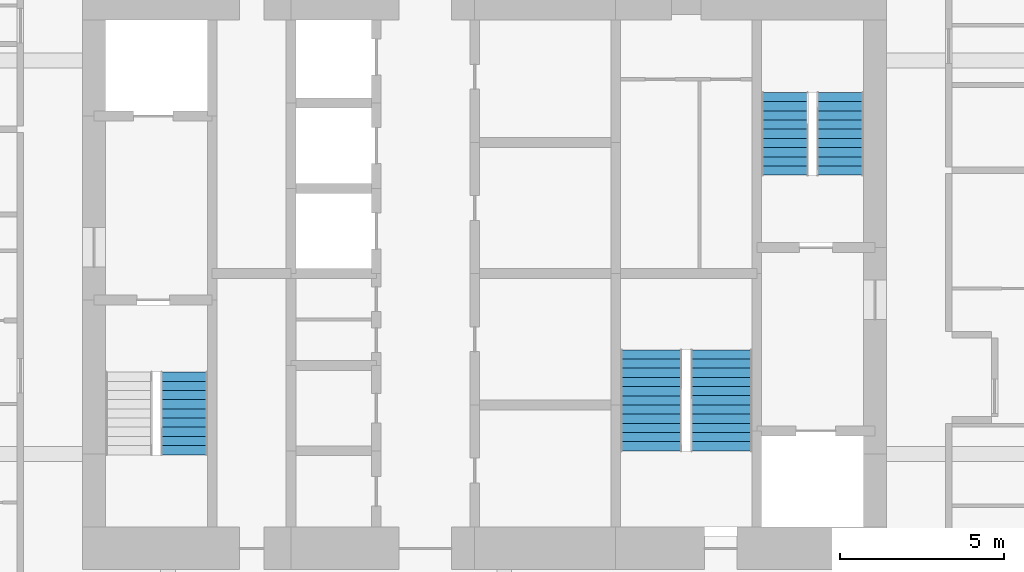
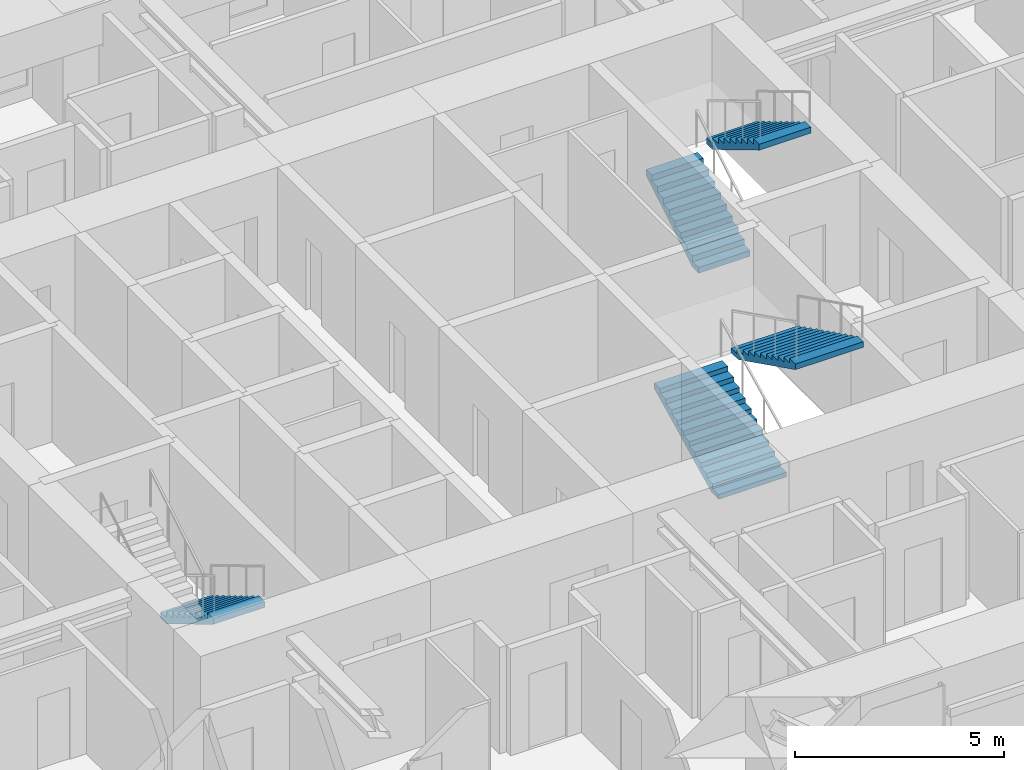
# One storey, part 22 of 23: 5 stair flights, 3 elements without a shape of their own.
"""IFC4 building model written with IfcOpenShell, lengths in metres."""

import ifcopenshell
import ifcopenshell.guid

model = None  # the IFC model being written
_history = None  # IfcOwnerHistory: only IFC2X3 demands one
_inside = {}  # id of a spatial element -> (the spatial element, [elements in it])
_under = {}  # id of a project, library or spatial element -> (it, [spatial elements below it])
_declared = {}  # id of a project -> (the project, [libraries it declares])
_typed = {}  # id of a type object -> (the type object, [elements of that type])
_made_of = {}  # id of a material, layer set ... -> (it, [elements and type objects made of it])


def new_model(schema):
    """Start an empty IFC model of exactly this schema.

    Asked for "IFC4X3", IfcOpenShell would pick the latest addendum, in which some entities
    have other attributes; the version numbers below select the first issue.
    IFC2X3 requires an IfcOwnerHistory on every rooted entity: one is made here for all.
    """
    global model, _history
    if schema == "IFC4X3":
        model = ifcopenshell.file(schema_version=(4, 3, 0, 0))
    else:
        model = ifcopenshell.file(schema=schema)
    _inside.clear()
    _under.clear()
    _declared.clear()
    _typed.clear()
    _made_of.clear()
    _history = None
    if model.schema == "IFC2X3":
        org = make("IfcOrganization", Name="unknown")
        user = make(
            "IfcPersonAndOrganization",
            ThePerson=make("IfcPerson", FamilyName="unknown"),
            TheOrganization=org,
        )
        app = make(
            "IfcApplication",
            ApplicationDeveloper=org,
            Version="unknown",
            ApplicationFullName="unknown",
            ApplicationIdentifier="unknown",
        )
        _history = make(
            "IfcOwnerHistory",
            OwningUser=user,
            OwningApplication=app,
            ChangeAction="ADDED",
            CreationDate=0,
        )
    return model


def make(cls, **values):
    """One entity of the class cls with the attributes given. An attribute that is None is left unset."""
    return model.create_entity(
        cls, **{name: value for name, value in values.items() if value is not None}
    )


def rooted(cls, **values):
    """An entity with a GlobalId (a new one), such as an element, a storey or a relation."""
    return make(cls, GlobalId=ifcopenshell.guid.new(), OwnerHistory=_history, **values)


def si_unit(unit_type, name, prefix=None):
    """IfcSIUnit, for example si_unit("LENGTHUNIT", "METRE", prefix="MILLI")."""
    return make("IfcSIUnit", UnitType=unit_type, Prefix=prefix, Name=name)


def assignment(units):
    """IfcUnitAssignment: the units of a project."""
    return None if units is None else make("IfcUnitAssignment", Units=units)


def point(xyz):
    """IfcCartesianPoint."""
    return None if xyz is None else make("IfcCartesianPoint", Coordinates=xyz)


def direction(xyz):
    """IfcDirection."""
    return None if xyz is None else make("IfcDirection", DirectionRatios=xyz)


def frame(location, z_axis=None, x_axis=None):
    """IfcAxis2Placement3D, a coordinate frame: its origin and axes. An axis left out is left unset."""
    return make(
        "IfcAxis2Placement3D",
        Location=point(location),
        Axis=direction(z_axis),
        RefDirection=direction(x_axis),
    )


def origin():
    """The frame at (0, 0, 0) with its axes left unset."""
    return frame((0.0, 0.0, 0.0))


def place(relative_to, where):
    """IfcLocalPlacement: puts the frame where relative to a parent placement (None: the world)."""
    return make(
        "IfcLocalPlacement", PlacementRelTo=relative_to, RelativePlacement=where
    )


def context(
    kind, dimensions, precision=None, world=None, true_north=None, identifier=None
):
    """IfcGeometricRepresentationContext, for example the 3D "Model" context."""
    return make(
        "IfcGeometricRepresentationContext",
        ContextIdentifier=identifier,
        ContextType=kind,
        CoordinateSpaceDimension=dimensions,
        Precision=precision,
        WorldCoordinateSystem=world,
        TrueNorth=true_north,
    )


def subcontext(parent, identifier, kind, view, scale=None):
    """IfcGeometricRepresentationSubContext, for example "Body" below "Model"."""
    return make(
        "IfcGeometricRepresentationSubContext",
        ContextIdentifier=identifier,
        ContextType=kind,
        ParentContext=parent,
        TargetScale=scale,
        TargetView=view,
    )


def project(units=None, contexts=None):
    """IfcProject with its units and contexts."""
    return rooted(
        "IfcProject",
        Name="project",
        RepresentationContexts=contexts,
        UnitsInContext=assignment(units),
    )


def spatial(cls, under=None, at=None, **own):
    """A site, building, storey or space (cls), placed at a placement, below another one or the project."""
    s = rooted(cls, ObjectPlacement=at, **own)
    if under is not None:
        _under.setdefault(under.id(), (under, []))[1].append(s)
    return s


def polyline(points):
    """IfcPolyline through the points."""
    return make("IfcPolyline", Points=[point(p) for p in points])


def outline(outer, holes=None, kind="AREA"):
    """IfcArbitraryClosedProfileDef: a profile drawn as a closed curve; with holes, ...WithVoids."""
    if holes is None:
        return make("IfcArbitraryClosedProfileDef", ProfileType=kind, OuterCurve=outer)
    return make(
        "IfcArbitraryProfileDefWithVoids",
        ProfileType=kind,
        OuterCurve=outer,
        InnerCurves=holes,
    )


def extrude(swept, where, along, depth):
    """IfcExtrudedAreaSolid: the profile swept, set in the frame where, extruded along a direction by depth."""
    return make(
        "IfcExtrudedAreaSolid",
        SweptArea=swept,
        Position=where,
        ExtrudedDirection=direction(along),
        Depth=depth,
    )


def shape(context_of_items, identifier, shape_type, items):
    """IfcShapeRepresentation: the items that make up one representation, for example the "Body"."""
    return make(
        "IfcShapeRepresentation",
        ContextOfItems=context_of_items,
        RepresentationIdentifier=identifier,
        RepresentationType=shape_type,
        Items=items,
    )


def material(Name=None, Category=None):
    """IfcMaterial."""
    return make("IfcMaterial", Name=Name, Category=Category)


def made_of(thing, what):
    """Note that an element or type object is made of a material, layer set ...; save() writes the relation."""
    if what is not None:
        _made_of.setdefault(what.id(), (what, []))[1].append(thing)
    return thing


def type_object(cls, material=None, **own):
    """A type object (cls), such as IfcWallType, which elements share."""
    return made_of(rooted(cls, **own), material)


def element(
    cls,
    number,
    at=None,
    inside=None,
    cuts=None,
    type_object=None,
    material=None,
    context=None,
    identifier="Body",
    shape_type=None,
    held_by="IfcProductDefinitionShape",
    body=None,
    shapes=None,
    **own,
):
    """One element of the class cls, such as IfcWall. Its Tag is "e" and its number.

    at: its placement. inside: the storey or other place that contains it. cuts: it is an
    opening in that element (IfcRelVoidsElement). A single representation is given by context,
    identifier, shape_type and body (its items); several are given by shapes. held_by: the class
    of the entity that holds the representations. save() writes the other relations.
    """
    e = rooted(cls, Tag="e%d" % number, ObjectPlacement=at, **own)
    if body is not None:
        shapes = [shape(context, identifier, shape_type, body)]
    if shapes is not None:
        e.Representation = make(held_by, Representations=shapes)
    if inside is not None:
        _inside.setdefault(inside.id(), (inside, []))[1].append(e)
    if cuts is not None:
        rooted(
            "IfcRelVoidsElement", RelatingBuildingElement=cuts, RelatedOpeningElement=e
        )
    if type_object is not None:
        _typed.setdefault(type_object.id(), (type_object, []))[1].append(e)
    return made_of(e, material)


def aggregate(whole, parts):
    """IfcRelAggregates: a whole, such as a stair, and the parts it consists of."""
    return rooted("IfcRelAggregates", RelatingObject=whole, RelatedObjects=parts)


def save(model, path):
    """Write the relations noted so far, then the file.

    IfcRelAggregates (storeys below a building ...), IfcRelContainedInSpatialStructure (elements
    in a storey), IfcRelDefinesByType, IfcRelAssociatesMaterial and IfcRelDeclares: one each for
    every whole, place, type object, material and project.
    """
    for whole, parts in _under.values():
        aggregate(whole, parts)
    for where, things in _inside.values():
        rooted(
            "IfcRelContainedInSpatialStructure",
            RelatedElements=things,
            RelatingStructure=where,
        )
    for kind, things in _typed.values():
        rooted("IfcRelDefinesByType", RelatedObjects=things, RelatingType=kind)
    for what, things in _made_of.values():
        rooted("IfcRelAssociatesMaterial", RelatedObjects=things, RelatingMaterial=what)
    for by, libraries in _declared.values():
        rooted("IfcRelDeclares", RelatingContext=by, RelatedDefinitions=libraries)
    model.write(path)


model = new_model("IFC4")

# Units and contexts
model_context = context("Model", 3, precision=1e-05, world=origin(), true_north=direction((0.0, 1.0)))
body_context = subcontext(model_context, "Body", "Model", "MODEL_VIEW")
ifc_project = project(units=[si_unit("LENGTHUNIT", "METRE"), si_unit("AREAUNIT", "SQUARE_METRE"), si_unit("VOLUMEUNIT", "CUBIC_METRE"), si_unit("PLANEANGLEUNIT", "RADIAN"), si_unit("MASSUNIT", "GRAM", prefix="KILO")], contexts=[model_context])

# Site, building, storey
site_placement = place(None, origin())
site = spatial("IfcSite", under=ifc_project, at=site_placement, CompositionType="ELEMENT")
building_placement = place(site_placement, origin())
building = spatial("IfcBuilding", under=site, at=building_placement, Name="Jalousie Tower", CompositionType="ELEMENT")
storey_placement = place(building_placement, frame((0.0, 0.0, 167.75)))
storey = spatial("IfcBuildingStorey", under=building, at=storey_placement, Name="L45", CompositionType="ELEMENT", Elevation=167.75)

# Stair, stair flight
ifc_material_1 = material(Name="Concrete f'c 40 MPa", Category="concrete")
stair_type = type_object("IfcStairType", Name="EXIT STAIR", PredefinedType="HALF_TURN_STAIR", material=ifc_material_1)
stair_1_placement = place(storey_placement, origin())
stair_1 = element("IfcStair", 1, at=stair_1_placement, inside=storey, type_object=stair_type, Name="Exit stair A L45", PredefinedType="HALF_TURN_STAIR")
ifc_material_2 = material(Name="Concrete f'c 40 MPa", Category="concrete")
stair_flight_type = type_object("IfcStairFlightType", Name="STAIR FLIGHT", PredefinedType="STRAIGHT", material=ifc_material_2)
stair_flight_1_placement = place(storey_placement, frame((22.737548828125, 15.49755859375, 0.0), z_axis=(0.0, 0.0, 1.0), x_axis=(0.0, -1.0, 0.0)))
stair_flight_1 = element("IfcStairFlight", 2, at=stair_flight_1_placement, type_object=stair_flight_type, Name="ST-A flight 1", NumberOfRisers=10, NumberOfTreads=9, PredefinedType="STRAIGHT", RiserHeight=0.1675, TreadLength=0.28, context=body_context, shape_type="SweptSolid", body=[
    extrude(outline(polyline([(0.0, 0.0), (0.0, 0.16748046875), (0.280029296875, 0.16748046875), (0.280029296875, 0.3349609375), (0.56005859375, 0.3349609375), (0.56005859375, 0.50244140625), (0.840087890625, 0.50244140625), (0.840087890625, 0.669921875), (1.1201171875, 0.669921875), (1.1201171875, 0.83740234375), (1.39990234375, 0.83740234375), (1.39990234375, 1.0048828125), (1.679931640625, 1.0048828125), (1.679931640625, 1.172607421875), (1.9599609375, 1.172607421875), (1.9599609375, 1.340087890625), (2.239990234375, 1.340087890625), (2.239990234375, 1.507568359375), (2.52001953125, 1.507568359375), (2.52001953125, 1.675048828125), (2.52001953125, 1.332763671875), (0.2919921875, 0.0), (0.0, 0.0)])), frame((0.0, 0.71240234375, 0.0), z_axis=(0.0, -1.0, 0.0), x_axis=(1.0, 0.0, 0.0)), (0.0, 0.0, 1.0), 1.425048828125),
])
aggregate(stair_1, [stair_flight_1])

# Stair, stair flights
stair_2_placement = place(storey_placement, origin())
stair_2 = element("IfcStair", 3, at=stair_2_placement, inside=storey, type_object=stair_type, Name="Exit stair B L45", PredefinedType="HALF_TURN_STAIR")
stair_flight_2_placement = place(storey_placement, frame((41.0625, 21.50244140625, 0.0), z_axis=(0.0, 0.0, 1.0), x_axis=(0.0, 1.0, 0.0)))
stair_flight_2 = element("IfcStairFlight", 4, at=stair_flight_2_placement, type_object=stair_flight_type, Name="ST-B flight 1", NumberOfRisers=10, NumberOfTreads=9, PredefinedType="STRAIGHT", RiserHeight=0.1675, TreadLength=0.28, context=body_context, shape_type="SweptSolid", body=[
    extrude(outline(polyline([(0.0, 0.0), (0.0, 0.16748046875), (0.280029296875, 0.16748046875), (0.280029296875, 0.3349609375), (0.56005859375, 0.3349609375), (0.56005859375, 0.50244140625), (0.840087890625, 0.50244140625), (0.840087890625, 0.669921875), (1.1201171875, 0.669921875), (1.1201171875, 0.83740234375), (1.39990234375, 0.83740234375), (1.39990234375, 1.0048828125), (1.679931640625, 1.0048828125), (1.679931640625, 1.172607421875), (1.9599609375, 1.172607421875), (1.9599609375, 1.340087890625), (2.239990234375, 1.340087890625), (2.239990234375, 1.507568359375), (2.52001953125, 1.507568359375), (2.52001953125, 1.675048828125), (2.52001953125, 1.332763671875), (0.2919921875, 0.0), (0.0, 0.0)])), frame((0.0, 0.71240234375, 0.0), z_axis=(0.0, -1.0, 0.0), x_axis=(1.0, 0.0, 0.0)), (0.0, 0.0, 1.0), 1.425048828125),
])
stair_flight_3_placement = place(storey_placement, frame((42.737548828125, 24.0224609375, 1.675048828125), z_axis=(0.0, 0.0, 1.0), x_axis=(0.0, -1.0, 0.0)))
stair_flight_3 = element("IfcStairFlight", 5, at=stair_flight_3_placement, type_object=stair_flight_type, Name="ST-B flight 2", NumberOfRisers=10, NumberOfTreads=9, PredefinedType="STRAIGHT", RiserHeight=0.1675, TreadLength=0.28, context=body_context, shape_type="SweptSolid", body=[
    extrude(outline(polyline([(0.0, 0.0), (0.0, 0.16748046875), (0.280029296875, 0.16748046875), (0.280029296875, 0.3349609375), (0.56005859375, 0.3349609375), (0.56005859375, 0.50244140625), (0.840087890625, 0.50244140625), (0.840087890625, 0.669921875), (1.1201171875, 0.669921875), (1.1201171875, 0.83740234375), (1.39990234375, 0.83740234375), (1.39990234375, 1.0048828125), (1.679931640625, 1.0048828125), (1.679931640625, 1.172607421875), (1.9599609375, 1.172607421875), (1.9599609375, 1.340087890625), (2.239990234375, 1.340087890625), (2.239990234375, 1.507568359375), (2.52001953125, 1.507568359375), (2.52001953125, 1.675048828125), (2.52001953125, 1.332763671875), (0.2919921875, 0.0), (0.0, 0.0)])), frame((0.0, 0.71240234375, 0.0), z_axis=(0.0, -1.0, 0.0), x_axis=(1.0, 0.0, 0.0)), (0.0, 0.0, 1.0), 1.425048828125),
])
aggregate(stair_2, [stair_flight_2, stair_flight_3])

stair_3_placement = place(storey_placement, origin())
stair_3 = element("IfcStair", 6, at=stair_3_placement, inside=storey, type_object=stair_type, Name="Exit stair C L45", PredefinedType="HALF_TURN_STAIR")
stair_flight_4_placement = place(storey_placement, frame((36.987548828125, 13.097412109375, 0.0), z_axis=(0.0, 0.0, 1.0), x_axis=(0.0, 1.0, 0.0)))
stair_flight_4 = element("IfcStairFlight", 7, at=stair_flight_4_placement, type_object=stair_flight_type, Name="ST-C flight 1", NumberOfRisers=12, NumberOfTreads=11, PredefinedType="STRAIGHT", RiserHeight=0.139583333, TreadLength=0.28, context=body_context, shape_type="SweptSolid", body=[
    extrude(outline(polyline([(0.0, 0.0), (0.0, 0.1396484375), (0.280029296875, 0.1396484375), (0.280029296875, 0.279052734375), (0.56005859375, 0.279052734375), (0.56005859375, 0.418701171875), (0.840087890625, 0.418701171875), (0.840087890625, 0.558349609375), (1.1201171875, 0.558349609375), (1.1201171875, 0.697998046875), (1.39990234375, 0.697998046875), (1.39990234375, 0.83740234375), (1.679931640625, 0.83740234375), (1.679931640625, 0.97705078125), (1.9599609375, 0.97705078125), (1.9599609375, 1.11669921875), (2.239990234375, 1.11669921875), (2.239990234375, 1.25634765625), (2.52001953125, 1.25634765625), (2.52001953125, 1.395751953125), (2.800048828125, 1.395751953125), (2.800048828125, 1.535400390625), (3.080078125, 1.535400390625), (3.080078125, 1.675048828125), (3.080078125, 1.367919921875), (0.3359375, 0.0), (0.0, 0.0)])), frame((0.0, 0.9375, 0.0), z_axis=(0.0, -1.0, 0.0), x_axis=(1.0, 0.0, 0.0)), (0.0, 0.0, 1.0), 1.875),
])
stair_flight_5_placement = place(storey_placement, frame((39.112548828125, 16.177490234375, 1.675048828125), z_axis=(0.0, 0.0, 1.0), x_axis=(0.0, -1.0, 0.0)))
stair_flight_5 = element("IfcStairFlight", 8, at=stair_flight_5_placement, type_object=stair_flight_type, Name="ST-C flight 2", NumberOfRisers=12, NumberOfTreads=11, PredefinedType="STRAIGHT", RiserHeight=0.139583333, TreadLength=0.28, context=body_context, shape_type="SweptSolid", body=[
    extrude(outline(polyline([(0.0, 0.0), (0.0, 0.1396484375), (0.280029296875, 0.1396484375), (0.280029296875, 0.279052734375), (0.56005859375, 0.279052734375), (0.56005859375, 0.418701171875), (0.840087890625, 0.418701171875), (0.840087890625, 0.558349609375), (1.1201171875, 0.558349609375), (1.1201171875, 0.697998046875), (1.39990234375, 0.697998046875), (1.39990234375, 0.83740234375), (1.679931640625, 0.83740234375), (1.679931640625, 0.97705078125), (1.9599609375, 0.97705078125), (1.9599609375, 1.11669921875), (2.239990234375, 1.11669921875), (2.239990234375, 1.25634765625), (2.52001953125, 1.25634765625), (2.52001953125, 1.395751953125), (2.800048828125, 1.395751953125), (2.800048828125, 1.535400390625), (3.080078125, 1.535400390625), (3.080078125, 1.675048828125), (3.080078125, 1.367919921875), (0.3359375, 0.0), (0.0, 0.0)])), frame((0.0, 0.9375, 0.0), z_axis=(0.0, -1.0, 0.0), x_axis=(1.0, 0.0, 0.0)), (0.0, 0.0, 1.0), 1.875),
])
aggregate(stair_3, [stair_flight_4, stair_flight_5])

save(model, "model.ifc")
